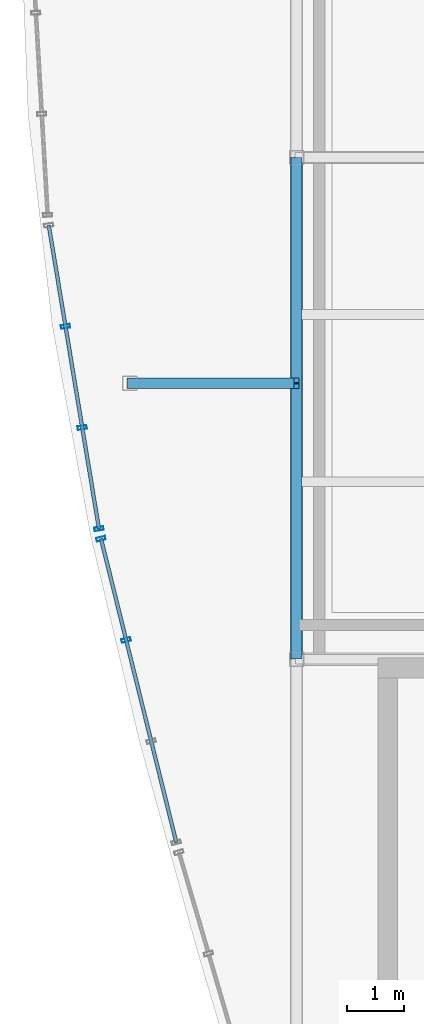
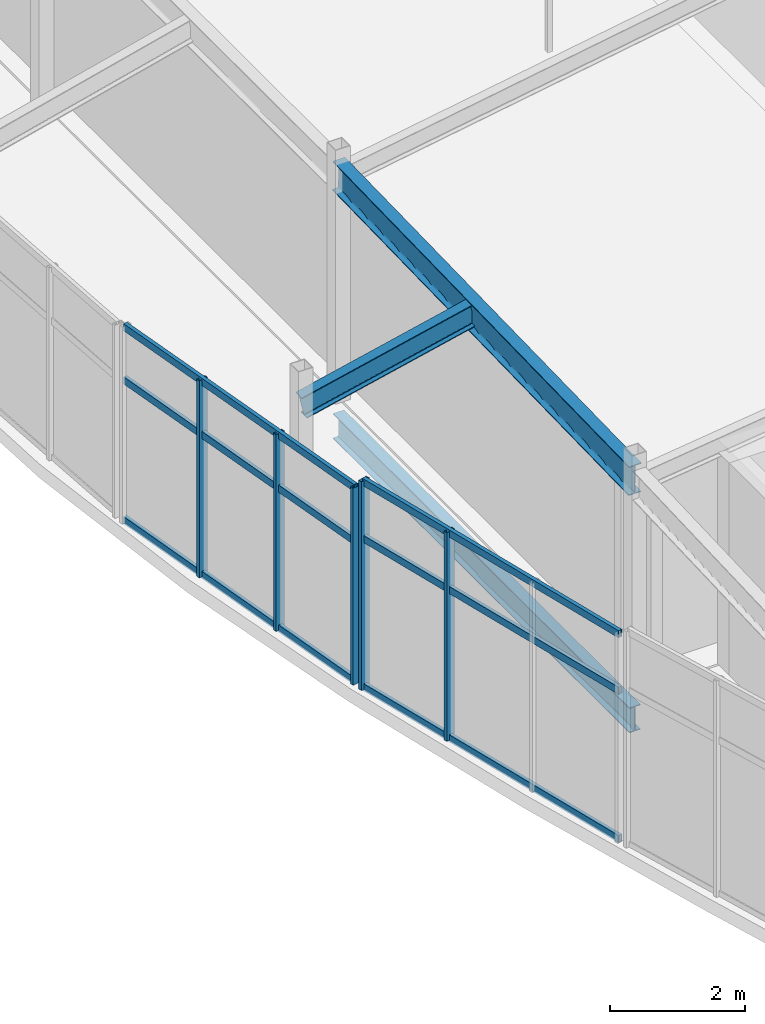
# One storey, part 17 of 114: 12 members, 2 beams, 2 elements without a shape of their own.
"""IFC4 building model written with IfcOpenShell, lengths in metres."""

from ifc_helpers import new_model, si_unit, direction, frame, origin, origin_2d, place, context, subcontext, project, spatial, hollow_rectangle, i_section, extrude, material, layer, layer_set, material_profile, profile_set, type_object, element, aggregate, save


model = new_model("IFC4")

# Units and contexts
model_context = context("Model", 3, precision=1e-05, world=origin(), true_north=direction((0.0, 1.0)))
body_context = subcontext(model_context, "Body", "Model", "MODEL_VIEW")
ifc_project = project(units=[si_unit("LENGTHUNIT", "METRE"), si_unit("AREAUNIT", "SQUARE_METRE"), si_unit("VOLUMEUNIT", "CUBIC_METRE"), si_unit("PLANEANGLEUNIT", "RADIAN"), si_unit("MASSUNIT", "GRAM", prefix="KILO")], contexts=[model_context])

# Site, building, storey
site_placement = place(None, origin())
site = spatial("IfcSite", under=ifc_project, at=site_placement, CompositionType="ELEMENT")
building_placement = place(site_placement, origin())
building = spatial("IfcBuilding", under=site, at=building_placement, Name="Chalmorin Arch Market", CompositionType="ELEMENT")
storey_placement = place(building_placement, frame((0.0, 0.0, 9.60009765625)))
storey = spatial("IfcBuildingStorey", under=building, at=storey_placement, Name="L02", CompositionType="ELEMENT", Elevation=9.60009765625)

# Curtain wall, members
ifc_material_1 = material(Name="Aluminium 6063-T6", Category="aluminium")
ifc_layer_1 = layer(ifc_material_1, 0.159912109375)
ifc_layer_set_1 = layer_set([ifc_layer_1], Name="Aluminium 6063-T6")
curtain_wall_type_1 = type_object("IfcCurtainWallType", Name="RiverfrontStorefrontCurtainWall-CW2-5490x3780", PredefinedType="NOTDEFINED", material=ifc_layer_set_1)
curtain_wall_1_placement = place(storey_placement, origin())
curtain_wall_1 = element("IfcCurtainWall", 1, at=curtain_wall_1_placement, inside=storey, type_object=curtain_wall_type_1, Name="CW-02-050", PredefinedType="NOTDEFINED")
ifc_material_profile_1 = material_profile(ifc_material_1, hollow_rectangle(XDim=0.06494140625, YDim=0.159912109375, WallThickness=0.00390625, at=origin_2d()), Name="ALU65X160X4")
ifc_profile_set_1 = profile_set([ifc_material_profile_1], Name="Aluminium 6063-T6")
member_type_1 = type_object("IfcMemberType", Name="CurtainWallMullion-65x160", PredefinedType="MULLION", material=ifc_profile_set_1)
member_1_placement = place(storey_placement, frame((-2.988525390625, 15.137451171875, 0.0), z_axis=(0.0, 0.0, 1.0), x_axis=(-0.2419218956, 0.970295726276, 0.0)))
member_1 = element("IfcMember", 2, at=member_1_placement, type_object=member_type_1, Name="ML-050-03", PredefinedType="MULLION", context=body_context, shape_type="SweptSolid", body=[
    extrude(hollow_rectangle(XDim=0.06494140625, YDim=0.159912109375, WallThickness=0.00390625, at=origin_2d()), origin(), (0.0, 0.0, 1.0), 3.781982421875),
])
member_2_placement = place(storey_placement, frame((-3.428466796875, 16.91259765625, 0.0), z_axis=(0.0, 0.0, 1.0), x_axis=(-0.2419218956, 0.970295726276, 0.0)))
member_2 = element("IfcMember", 3, at=member_2_placement, type_object=member_type_1, Name="ML-050-04", PredefinedType="MULLION", context=body_context, shape_type="SweptSolid", body=[
    extrude(hollow_rectangle(XDim=0.06494140625, YDim=0.159912109375, WallThickness=0.00390625, at=origin_2d()), origin(), (0.0, 0.0, 1.0), 3.781982421875),
])

ifc_layer_2 = layer(ifc_material_1, 0.159912109375)
ifc_layer_set_2 = layer_set([ifc_layer_2], Name="Aluminium 6063-T6")
curtain_wall_type_2 = type_object("IfcCurtainWallType", Name="RiverfrontStorefrontCurtainWall-CW2-5390x3570", PredefinedType="NOTDEFINED", material=ifc_layer_set_2)
curtain_wall_2_placement = place(storey_placement, origin())
curtain_wall_2 = element("IfcCurtainWall", 4, at=curtain_wall_2_placement, inside=storey, type_object=curtain_wall_type_2, Name="CW-02-053", PredefinedType="NOTDEFINED")
member_3_placement = place(storey_placement, frame((-3.464599609375, 17.0888671875, 0.0), z_axis=(0.0, 0.0, 1.0), x_axis=(-0.15643446504, 0.987688340595, 0.0)))
member_3 = element("IfcMember", 5, at=member_3_placement, type_object=member_type_1, Name="ML-053-01", PredefinedType="MULLION", context=body_context, shape_type="SweptSolid", body=[
    extrude(hollow_rectangle(XDim=0.06494140625, YDim=0.159912109375, WallThickness=0.00390625, at=origin_2d()), origin(), (0.0, 0.0, 1.0), 3.56884765625),
])
member_4_placement = place(storey_placement, frame((-3.75830078125, 18.86279296875, 0.0), z_axis=(0.0, 0.0, 1.0), x_axis=(-0.15643446504, 0.987688340595, 0.0)))
member_4 = element("IfcMember", 6, at=member_4_placement, type_object=member_type_1, Name="ML-053-02", PredefinedType="MULLION", context=body_context, shape_type="SweptSolid", body=[
    extrude(hollow_rectangle(XDim=0.06494140625, YDim=0.159912109375, WallThickness=0.00390625, at=origin_2d()), origin(), (0.0, 0.0, 1.0), 3.56884765625),
])
member_5_placement = place(storey_placement, frame((-4.0517578125, 20.63720703125, 0.0), z_axis=(0.0, 0.0, 1.0), x_axis=(-0.15643446504, 0.987688340595, 0.0)))
member_5 = element("IfcMember", 7, at=member_5_placement, type_object=member_type_1, Name="ML-053-03", PredefinedType="MULLION", context=body_context, shape_type="SweptSolid", body=[
    extrude(hollow_rectangle(XDim=0.06494140625, YDim=0.159912109375, WallThickness=0.00390625, at=origin_2d()), origin(), (0.0, 0.0, 1.0), 3.56884765625),
])

# Member
ifc_material_profile_2 = material_profile(ifc_material_1, hollow_rectangle(XDim=0.06494140625, YDim=0.1298828125, WallThickness=0.00390625, at=origin_2d()), Name="ALU65X130X4")
ifc_profile_set_2 = profile_set([ifc_material_profile_2], Name="Aluminium 6063-T6")
member_type_2 = type_object("IfcMemberType", Name="CurtainWallTransom-65x130", PredefinedType="USERDEFINED", material=ifc_profile_set_2)
member_6_placement = place(storey_placement, frame((-2.108642578125, 11.58740234375, 0.034912109375), z_axis=(-0.240566657981, 0.970632620031, 0.0), x_axis=(-0.970632620031, -0.240566657981, 0.0)))
member_6 = element("IfcMember", 8, at=member_6_placement, type_object=member_type_2, Name="TR-050-01", ObjectType="TRANSOM", PredefinedType="USERDEFINED", context=body_context, shape_type="SweptSolid", body=[
    extrude(hollow_rectangle(XDim=0.06494140625, YDim=0.1298828125, WallThickness=0.00390625, at=origin_2d()), origin(), (0.0, 0.0, 1.0), 5.486328125),
])

member_7_placement = place(storey_placement, frame((-2.108642578125, 11.58740234375, 2.722900390625), z_axis=(-0.240566657981, 0.970632620031, 0.0), x_axis=(-0.970632620031, -0.240566657981, 0.0)))
member_7 = element("IfcMember", 9, at=member_7_placement, type_object=member_type_2, Name="TR-050-02", ObjectType="TRANSOM", PredefinedType="USERDEFINED", context=body_context, shape_type="SweptSolid", body=[
    extrude(hollow_rectangle(XDim=0.06494140625, YDim=0.1298828125, WallThickness=0.00390625, at=origin_2d()), origin(), (0.0, 0.0, 1.0), 5.486328125),
])

member_8_placement = place(storey_placement, frame((-2.108642578125, 11.58740234375, 3.746826171875), z_axis=(-0.240566657981, 0.970632620031, 0.0), x_axis=(-0.970632620031, -0.240566657981, 0.0)))
member_8 = element("IfcMember", 10, at=member_8_placement, type_object=member_type_2, Name="TR-050-03", ObjectType="TRANSOM", PredefinedType="USERDEFINED", context=body_context, shape_type="SweptSolid", body=[
    extrude(hollow_rectangle(XDim=0.06494140625, YDim=0.1298828125, WallThickness=0.00390625, at=origin_2d()), origin(), (0.0, 0.0, 1.0), 5.486328125),
])

aggregate(curtain_wall_1, [member_1, member_2, member_6, member_7, member_8])

member_9_placement = place(storey_placement, frame((-3.464599609375, 17.0888671875, 0.034912109375), z_axis=(-0.16323933491, 0.986586498761, 0.0), x_axis=(-0.986586498761, -0.16323933491, 0.0)))
member_9 = element("IfcMember", 11, at=member_9_placement, type_object=member_type_2, Name="TR-053-01", ObjectType="TRANSOM", PredefinedType="USERDEFINED", context=body_context, shape_type="SweptSolid", body=[
    extrude(hollow_rectangle(XDim=0.06494140625, YDim=0.1298828125, WallThickness=0.00390625, at=origin_2d()), origin(), (0.0, 0.0, 1.0), 5.39453125),
])

member_10_placement = place(storey_placement, frame((-3.464599609375, 17.0888671875, 2.569580078125), z_axis=(-0.16323933491, 0.986586498761, 0.0), x_axis=(-0.986586498761, -0.16323933491, 0.0)))
member_10 = element("IfcMember", 12, at=member_10_placement, type_object=member_type_2, Name="TR-053-02", ObjectType="TRANSOM", PredefinedType="USERDEFINED", context=body_context, shape_type="SweptSolid", body=[
    extrude(hollow_rectangle(XDim=0.06494140625, YDim=0.1298828125, WallThickness=0.00390625, at=origin_2d()), origin(), (0.0, 0.0, 1.0), 5.39453125),
])

member_11_placement = place(storey_placement, frame((-3.464599609375, 17.0888671875, 3.533935546875), z_axis=(-0.16323933491, 0.986586498761, 0.0), x_axis=(-0.986586498761, -0.16323933491, 0.0)))
member_11 = element("IfcMember", 13, at=member_11_placement, type_object=member_type_2, Name="TR-053-03", ObjectType="TRANSOM", PredefinedType="USERDEFINED", context=body_context, shape_type="SweptSolid", body=[
    extrude(hollow_rectangle(XDim=0.06494140625, YDim=0.1298828125, WallThickness=0.00390625, at=origin_2d()), origin(), (0.0, 0.0, 1.0), 5.39453125),
])

aggregate(curtain_wall_2, [member_3, member_4, member_5, member_9, member_10, member_11])

# Beams
ifc_material_2 = material(Name="Steel A992 Grade 50", Category="steel")
ifc_material_profile_3 = material_profile(ifc_material_2, i_section(OverallWidth=0.19091796875, OverallDepth=0.45703125, WebThickness=0.009033203125, FlangeThickness=0.014404296875, FilletRadius=0.02001953125, at=origin_2d()), Name="W18X50")
ifc_profile_set_3 = profile_set([ifc_material_profile_3], Name="Steel A992 Grade 50")
beam_type_1 = type_object("IfcBeamType", Name="PerimeterSpandrelBeam-W18X50", PredefinedType="SPANDREL", material=ifc_profile_set_3)
beam_1_placement = place(storey_placement, frame((0.0, 14.800048828125, -0.480712890625), z_axis=(0.0, 1.0, 0.0), x_axis=(-1.0, 0.0, 0.0)))
element("IfcBeam", 14, at=beam_1_placement, inside=storey, type_object=beam_type_1, Name="SP-W18-1139", PredefinedType="SPANDREL", context=body_context, shape_type="SweptSolid", body=[
    extrude(i_section(OverallWidth=0.19091796875, OverallDepth=0.45703125, WebThickness=0.009033203125, FlangeThickness=0.014404296875, FilletRadius=0.02001953125, at=origin_2d()), origin(), (0.0, 0.0, 1.0), 8.800048828125),
])
ifc_material_profile_4 = material_profile(ifc_material_2, i_section(OverallWidth=0.208984375, OverallDepth=0.532958984375, WebThickness=0.01025390625, FlangeThickness=0.015625, FilletRadius=0.02197265625, at=origin_2d()), Name="W21X62")
ifc_profile_set_4 = profile_set([ifc_material_profile_4], Name="Steel A992 Grade 50")
beam_type_2 = type_object("IfcBeamType", Name="PrimarySteelGirder-W21X62", PredefinedType="BEAM", material=ifc_profile_set_4)
beam_2_placement = place(storey_placement, frame((0.0, 14.800048828125, 3.85693359375), z_axis=(0.0, 0.999731788038, 0.023159274324), x_axis=(-1.0, 0.0, 0.0)))
element("IfcBeam", 15, at=beam_2_placement, inside=storey, type_object=beam_type_2, Name="BG-W21B-1524", PredefinedType="BEAM", context=body_context, shape_type="SweptSolid", body=[
    extrude(i_section(OverallWidth=0.208984375, OverallDepth=0.532958984375, WebThickness=0.01025390625, FlangeThickness=0.015625, FilletRadius=0.02197265625, at=origin_2d()), origin(), (0.0, 0.0, 1.0), 8.802490234375),
])

# Member
ifc_material_profile_5 = material_profile(ifc_material_2, i_section(OverallWidth=0.178955078125, OverallDepth=0.409912109375, WebThickness=0.0087890625, FlangeThickness=0.014404296875, FilletRadius=0.01806640625, at=origin_2d()), Name="W16X45")
ifc_profile_set_5 = profile_set([ifc_material_profile_5], Name="Steel A992 Grade 50")
member_type_3 = type_object("IfcMemberType", Name="RoofSteelPurlin-W16X45", PredefinedType="PURLIN", material=ifc_profile_set_5)
member_12_placement = place(storey_placement, frame((-2.924072265625, 19.639892578125, 3.288818359375), z_axis=(0.975239125149, 0.0, 0.221152998573), x_axis=(0.0, 1.0, 0.0)))
element("IfcMember", 16, at=member_12_placement, inside=storey, type_object=member_type_3, Name="PR-W16-0036", PredefinedType="PURLIN", context=body_context, shape_type="SweptSolid", body=[
    extrude(i_section(OverallWidth=0.178955078125, OverallDepth=0.409912109375, WebThickness=0.0087890625, FlangeThickness=0.014404296875, FilletRadius=0.01806640625, at=origin_2d()), origin(), (0.0, 0.0, 1.0), 2.998291015625),
])

save(model, "model.ifc")
